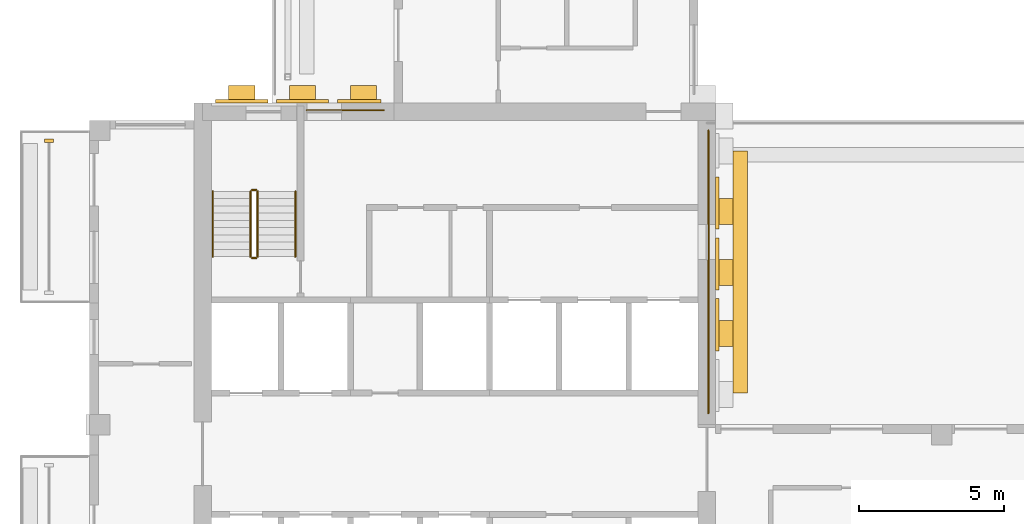
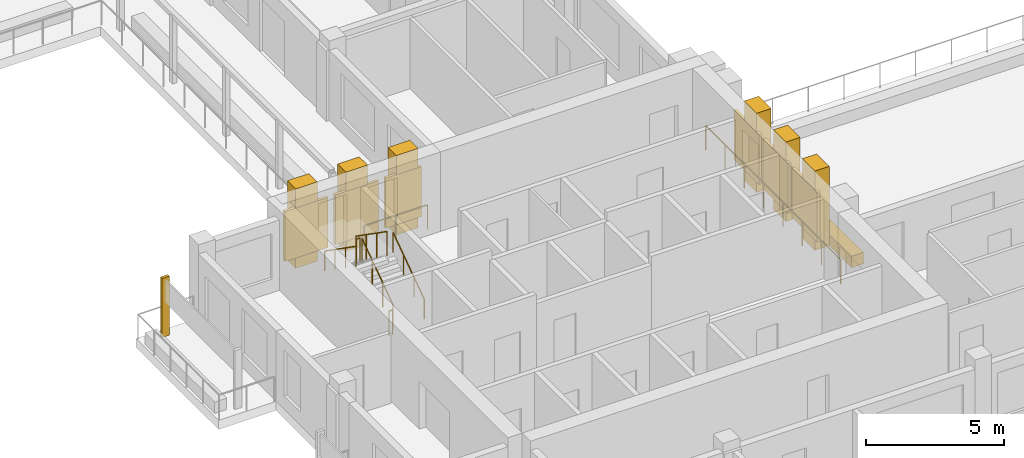
# One storey, part 9 of 12: 14 coverings, 8 railings.
"""IFC4 building model written with IfcOpenShell, lengths in metres."""

from ifc_helpers import new_model, si_unit, direction, frame, origin, origin_2d, place, context, subcontext, project, spatial, rectangle, circle, extrude, source, transform, mapped, material, type_object, element, save


model = new_model("IFC4")

# Units and contexts
model_context = context("Model", 3, precision=1e-05, world=origin(), true_north=direction((0.0, 1.0)))
body_context = subcontext(model_context, "Body", "Model", "MODEL_VIEW")
ifc_project = project(units=[si_unit("LENGTHUNIT", "METRE"), si_unit("AREAUNIT", "SQUARE_METRE"), si_unit("VOLUMEUNIT", "CUBIC_METRE"), si_unit("PLANEANGLEUNIT", "RADIAN"), si_unit("MASSUNIT", "GRAM", prefix="KILO")], contexts=[model_context])

# Site, building, storey
site_placement = place(None, origin())
site = spatial("IfcSite", under=ifc_project, at=site_placement, CompositionType="ELEMENT")
building_placement = place(site_placement, origin())
building = spatial("IfcBuilding", under=site, at=building_placement, Name="Aurelian Terraces", CompositionType="ELEMENT")
storey_placement = place(building_placement, frame((0.0, 0.0, 284.5)))
storey = spatial("IfcBuildingStorey", under=building, at=storey_placement, Name="L64", CompositionType="ELEMENT", Elevation=284.5)

# Covering
ifc_material_1 = material(Name="Terracotta rainscreen cladding relief", Category="masonry")
covering_type_1 = type_object("IfcCoveringType", Name="Core spine pier 900x600", PredefinedType="CLADDING", material=ifc_material_1)
covering_1_placement = place(storey_placement, frame((5.25, 21.9, 0.0), z_axis=(0.0, 0.0, 1.0), x_axis=(1.0, 0.0, 0.0)))
element("IfcCovering", 1, at=covering_1_placement, inside=storey, type_object=covering_type_1, Name="Spine pier L64 N6", PredefinedType="CLADDING", context=body_context, shape_type="SweptSolid", body=[
    extrude(rectangle(XDim=0.9, YDim=0.6, at=origin_2d()), origin(), (0.0, 0.0, 1.0), 3.5),
])

# Railings
ifc_material_2 = material(Name="Anodised aluminium", Category="aluminium")
railing_type_1 = type_object("IfcRailingType", Name="GUARD-1100", PredefinedType="GUARDRAIL", material=ifc_material_2)
railing_1_placement = place(storey_placement, frame((21.35, 10.9, 0.0)))
element("IfcRailing", 2, at=railing_1_placement, inside=storey, type_object=railing_type_1, Name="Terrace guard L64 L64-X1.6", PredefinedType="GUARDRAIL", context=body_context, shape_type="SweptSolid", body=[
    extrude(circle(Radius=0.024, at=origin_2d()), frame((0.0, 0.0, 1.076), z_axis=(0.0, 1.0, 0.0), x_axis=(-1.0, 0.0, 0.0)), (0.0, 0.0, 1.0), 9.75),
    extrude(circle(Radius=0.021, at=origin_2d()), origin(), (0.0, 0.0, 1.0), 1.052),
    extrude(circle(Radius=0.021, at=origin_2d()), frame((0.0, 1.3929, 0.0)), (0.0, 0.0, 1.0), 1.052),
    extrude(circle(Radius=0.021, at=origin_2d()), frame((0.0, 2.7857, 0.0)), (0.0, 0.0, 1.0), 1.052),
    extrude(circle(Radius=0.021, at=origin_2d()), frame((0.0, 4.1786, 0.0)), (0.0, 0.0, 1.0), 1.052),
    extrude(circle(Radius=0.021, at=origin_2d()), frame((0.0, 5.5714, 0.0)), (0.0, 0.0, 1.0), 1.052),
    extrude(circle(Radius=0.021, at=origin_2d()), frame((0.0, 6.9643, 0.0)), (0.0, 0.0, 1.0), 1.052),
    extrude(circle(Radius=0.021, at=origin_2d()), frame((0.0, 8.3571, 0.0)), (0.0, 0.0, 1.0), 1.052),
    extrude(circle(Radius=0.021, at=origin_2d()), frame((0.0, 9.75, 0.0)), (0.0, 0.0, 1.0), 1.052),
])
railing_2_placement = place(storey_placement, frame((10.15, 21.35, 0.0)))
element("IfcRailing", 3, at=railing_2_placement, inside=storey, type_object=railing_type_1, Name="Terrace guard L64 L64-X2.10", PredefinedType="GUARDRAIL", context=body_context, shape_type="SweptSolid", body=[
    extrude(circle(Radius=0.024, at=origin_2d()), frame((0.0, 0.0, 1.076), z_axis=(-1.0, 0.0, 0.0), x_axis=(0.0, -1.0, 0.0)), (0.0, 0.0, 1.0), 2.65),
    extrude(circle(Radius=0.021, at=origin_2d()), origin(), (0.0, 0.0, 1.0), 1.052),
    extrude(circle(Radius=0.021, at=origin_2d()), frame((-1.325, 0.0, 0.0)), (0.0, 0.0, 1.0), 1.052),
    extrude(circle(Radius=0.021, at=origin_2d()), frame((-2.65, 0.0, 0.0)), (0.0, 0.0, 1.0), 1.052),
])

# Coverings
ifc_material_3 = material(Name="Terracotta rainscreen cladding louvre blades", Category="masonry")
covering_type_2 = type_object("IfcCoveringType", Name="LOUVRE-TC", PredefinedType="CLADDING", material=ifc_material_3)
covering_2_placement = place(storey_placement, frame((5.25, 21.66, 0.45), z_axis=(0.0, 0.0, 1.0), x_axis=(1.0, 0.0, 0.0)))
element("IfcCovering", 4, at=covering_2_placement, inside=storey, type_object=covering_type_2, Name="LOUVRE L64 core face N.1", PredefinedType="CLADDING", context=body_context, shape_type="SweptSolid", body=[
    extrude(rectangle(XDim=1.8, YDim=0.12, at=origin_2d()), origin(), (0.0, 0.0, 1.0), 2.2),
])
covering_3_placement = place(storey_placement, frame((9.3, 21.66, 0.45), z_axis=(0.0, 0.0, 1.0), x_axis=(1.0, 0.0, 0.0)))
element("IfcCovering", 5, at=covering_3_placement, inside=storey, type_object=covering_type_2, Name="LOUVRE L64 core face N.3", PredefinedType="CLADDING", context=body_context, shape_type="SweptSolid", body=[
    extrude(rectangle(XDim=1.5, YDim=0.12, at=origin_2d()), origin(), (0.0, 0.0, 1.0), 2.2),
])
ifc_material_4 = material(Name="Terracotta planter with planting soil", Category="masonry")
covering_type_3 = type_object("IfcCoveringType", Name="PLANTER-TROUGH", PredefinedType="USERDEFINED", material=ifc_material_4)
covering_4_placement = place(storey_placement, frame((22.45, 15.775, 0.0), z_axis=(0.0, 0.0, 1.0), x_axis=(1.0, 0.0, 0.0)))
element("IfcCovering", 6, at=covering_4_placement, inside=storey, type_object=covering_type_3, Name="PLANTER L64 terrace L64-X1-5.1", ObjectType="PLANTER", PredefinedType="USERDEFINED", context=body_context, shape_type="SweptSolid", body=[
    extrude(rectangle(XDim=0.5, YDim=8.35, at=origin_2d()), origin(), (0.0, 0.0, 1.0), 0.5),
])

# Railings
ifc_material_5 = material(Name="Stainless steel", Category="steel")
railing_type_2 = type_object("IfcRailingType", Name="Stair guard 1100", PredefinedType="GUARDRAIL", material=ifc_material_5)
railing_3_placement = place(storey_placement, frame((5.8, 16.3, 0.175)))
element("IfcRailing", 7, at=railing_3_placement, inside=storey, type_object=railing_type_2, Name="L64 S1 stair guard 1", PredefinedType="GUARDRAIL", context=body_context, shape_type="SweptSolid", body=[
    extrude(circle(Radius=0.024, at=origin_2d()), frame((0.0, 0.0, 1.076), z_axis=(0.0, 0.819231920519, 0.573462344363), x_axis=(-1.0, 0.0, 0.0)), (0.0, 0.0, 1.0), 2.7465),
    extrude(circle(Radius=0.021, at=origin_2d()), origin(), (0.0, 0.0, 1.0), 1.052),
    extrude(circle(Radius=0.021, at=origin_2d()), frame((0.0, 0.75, 0.525)), (0.0, 0.0, 1.0), 1.052),
    extrude(circle(Radius=0.021, at=origin_2d()), frame((0.0, 1.5, 1.05)), (0.0, 0.0, 1.0), 1.052),
    extrude(circle(Radius=0.021, at=origin_2d()), frame((0.0, 2.25, 1.575)), (0.0, 0.0, 1.0), 1.052),
])
railing_4_placement = place(storey_placement, frame((5.55, 18.55, 1.925)))
element("IfcRailing", 8, at=railing_4_placement, inside=storey, type_object=railing_type_2, Name="L64 S1 stair guard 3", PredefinedType="GUARDRAIL", context=body_context, shape_type="SweptSolid", body=[
    extrude(circle(Radius=0.024, at=origin_2d()), frame((0.0, 0.0, 1.076), z_axis=(0.0, -0.819231920519, 0.573462344363), x_axis=(1.0, 0.0, 0.0)), (0.0, 0.0, 1.0), 2.7465),
    extrude(circle(Radius=0.021, at=origin_2d()), origin(), (0.0, 0.0, 1.0), 1.052),
    extrude(circle(Radius=0.021, at=origin_2d()), frame((0.0, -0.75, 0.525)), (0.0, 0.0, 1.0), 1.052),
    extrude(circle(Radius=0.021, at=origin_2d()), frame((0.0, -1.5, 1.05)), (0.0, 0.0, 1.0), 1.052),
    extrude(circle(Radius=0.021, at=origin_2d()), frame((0.0, -2.25, 1.575)), (0.0, 0.0, 1.0), 1.052),
])
railing_type_3 = type_object("IfcRailingType", Name="Stair handrail", PredefinedType="HANDRAIL", material=ifc_material_5)
railing_5_placement = place(storey_placement, frame((7.1, 16.3, 0.175)))
element("IfcRailing", 9, at=railing_5_placement, inside=storey, type_object=railing_type_3, Name="L64 S1 stair handrail 1", PredefinedType="HANDRAIL", context=body_context, shape_type="SweptSolid", body=[
    extrude(circle(Radius=0.024, at=origin_2d()), frame((0.0, 0.0, 0.876), z_axis=(0.0, 0.819231920519, 0.573462344363), x_axis=(-1.0, 0.0, 0.0)), (0.0, 0.0, 1.0), 2.7465),
    extrude(circle(Radius=0.021, at=origin_2d()), origin(), (0.0, 0.0, 1.0), 0.852),
    extrude(circle(Radius=0.021, at=origin_2d()), frame((0.0, 0.75, 0.525)), (0.0, 0.0, 1.0), 0.852),
    extrude(circle(Radius=0.021, at=origin_2d()), frame((0.0, 1.5, 1.05)), (0.0, 0.0, 1.0), 0.852),
    extrude(circle(Radius=0.021, at=origin_2d()), frame((0.0, 2.25, 1.575)), (0.0, 0.0, 1.0), 0.852),
])
railing_6_placement = place(storey_placement, frame((4.25, 18.55, 1.925)))
element("IfcRailing", 10, at=railing_6_placement, inside=storey, type_object=railing_type_3, Name="L64 S1 stair handrail 2", PredefinedType="HANDRAIL", context=body_context, shape_type="SweptSolid", body=[
    extrude(circle(Radius=0.024, at=origin_2d()), frame((0.0, 0.0, 0.876), z_axis=(0.0, -0.819231920519, 0.573462344363), x_axis=(1.0, 0.0, 0.0)), (0.0, 0.0, 1.0), 2.7465),
    extrude(circle(Radius=0.021, at=origin_2d()), origin(), (0.0, 0.0, 1.0), 0.852),
    extrude(circle(Radius=0.021, at=origin_2d()), frame((0.0, -0.75, 0.525)), (0.0, 0.0, 1.0), 0.852),
    extrude(circle(Radius=0.021, at=origin_2d()), frame((0.0, -1.5, 1.05)), (0.0, 0.0, 1.0), 0.852),
    extrude(circle(Radius=0.021, at=origin_2d()), frame((0.0, -2.25, 1.575)), (0.0, 0.0, 1.0), 0.852),
])

# Coverings
covering_type_4 = type_object("IfcCoveringType", Name="FIN-TC", PredefinedType="CLADDING", material=ifc_material_1)
shared_shape_1 = source(origin(), body_context, "Body", "SweptSolid", [
    extrude(rectangle(XDim=0.3, YDim=0.12, at=origin_2d()), origin(), (0.0, 0.0, 1.0), 2.6),
])
covering_5_placement = place(storey_placement, frame((-1.4, 20.3, 0.0), z_axis=(0.0, 0.0, 1.0), x_axis=(1.0, 0.0, 0.0)))
element("IfcCovering", 11, at=covering_5_placement, inside=storey, type_object=covering_type_4, Name="FIN L64 L64-F12-21.1", PredefinedType="CLADDING", context=body_context, shape_type="MappedRepresentation", body=[
    mapped(shared_shape_1, transform((0.0, 0.0, 0.0), scale=1.0)),
])
shared_shape_2 = source(origin(), body_context, "Body", "SweptSolid", [
    extrude(rectangle(XDim=0.12, YDim=1.8, at=origin_2d()), origin(), (0.0, 0.0, 1.0), 2.2),
])
for number, where, z_axis, x_axis, name in (
    (12, (21.66, 13.95, 0.45), (0.0, 0.0, 1.0), (1.0, 0.0, 0.0), "LOUVRE L64 core face E.2"),
    (13, (21.66, 16.05, 0.45), (0.0, 0.0, 1.0), (1.0, 0.0, 0.0), "LOUVRE L64 core face E.3"),
    (14, (21.66, 18.15, 0.45), (0.0, 0.0, 1.0), (1.0, 0.0, 0.0), "LOUVRE L64 core face E.4"),
):
    element("IfcCovering", number, at=place(storey_placement, frame(where, z_axis=z_axis, x_axis=x_axis)), inside=storey, type_object=covering_type_2, Name=name, PredefinedType="CLADDING", context=body_context, shape_type="MappedRepresentation", body=[
        mapped(shared_shape_2, transform((0.0, 0.0, 0.0), scale=1.0)),
    ])
shared_shape_3 = source(origin(), body_context, "Body", "SweptSolid", [
    extrude(rectangle(XDim=1.8, YDim=0.12, at=origin_2d()), origin(), (0.0, 0.0, 1.0), 2.2),
])
covering_6_placement = place(storey_placement, frame((7.35, 21.66, 0.45), z_axis=(0.0, 0.0, 1.0), x_axis=(1.0, 0.0, 0.0)))
element("IfcCovering", 15, at=covering_6_placement, inside=storey, type_object=covering_type_2, Name="LOUVRE L64 core face N.2", PredefinedType="CLADDING", context=body_context, shape_type="MappedRepresentation", body=[
    mapped(shared_shape_3, transform((0.0, 0.0, 0.0), scale=1.0)),
])

# Railings
shared_shape_4 = source(origin(), body_context, "Body", "SweptSolid", [
    extrude(circle(Radius=0.024, at=origin_2d()), frame((0.0, 0.0, 1.076), z_axis=(-1.0, 0.0, 0.0), x_axis=(0.0, -1.0, 0.0)), (0.0, 0.0, 1.0), 0.15),
    extrude(circle(Radius=0.021, at=origin_2d()), origin(), (0.0, 0.0, 1.0), 1.052),
    extrude(circle(Radius=0.021, at=origin_2d()), frame((-0.15, 0.0, 0.0)), (0.0, 0.0, 1.0), 1.052),
])
for number, where, name in (
    (16, (5.75, 18.6, 1.75), "L64 S1 stair guard 2"),
    (17, (5.75, 16.25, 0.0), "L64 S1 stair guard 4"),
):
    element("IfcRailing", number, at=place(storey_placement, frame(where)), inside=storey, type_object=railing_type_2, Name=name, PredefinedType="GUARDRAIL", context=body_context, shape_type="MappedRepresentation", body=[
        mapped(shared_shape_4, transform((0.0, 0.0, 0.0), scale=1.0)),
    ])

# Coverings
shared_shape_5 = source(origin(), body_context, "Body", "SweptSolid", [
    extrude(rectangle(XDim=0.6, YDim=0.9, at=origin_2d()), origin(), (0.0, 0.0, 1.0), 3.5),
])
for number, where, z_axis, x_axis, name in (
    (18, (21.9, 13.65, 0.0), (0.0, 0.0, 1.0), (1.0, 0.0, 0.0), "Spine pier L64 E2"),
    (19, (21.9, 15.75, 0.0), (0.0, 0.0, 1.0), (1.0, 0.0, 0.0), "Spine pier L64 E3"),
    (20, (21.9, 17.85, 0.0), (0.0, 0.0, 1.0), (1.0, 0.0, 0.0), "Spine pier L64 E4"),
):
    element("IfcCovering", number, at=place(storey_placement, frame(where, z_axis=z_axis, x_axis=x_axis)), inside=storey, type_object=covering_type_1, Name=name, PredefinedType="CLADDING", context=body_context, shape_type="MappedRepresentation", body=[
        mapped(shared_shape_5, transform((0.0, 0.0, 0.0), scale=1.0)),
    ])
shared_shape_6 = source(origin(), body_context, "Body", "SweptSolid", [
    extrude(rectangle(XDim=0.9, YDim=0.6, at=origin_2d()), origin(), (0.0, 0.0, 1.0), 3.5),
])
for number, where, z_axis, x_axis, name in (
    (21, (7.35, 21.9, 0.0), (0.0, 0.0, 1.0), (1.0, 0.0, 0.0), "Spine pier L64 N7"),
    (22, (9.45, 21.9, 0.0), (0.0, 0.0, 1.0), (1.0, 0.0, 0.0), "Spine pier L64 N8"),
):
    element("IfcCovering", number, at=place(storey_placement, frame(where, z_axis=z_axis, x_axis=x_axis)), inside=storey, type_object=covering_type_1, Name=name, PredefinedType="CLADDING", context=body_context, shape_type="MappedRepresentation", body=[
        mapped(shared_shape_6, transform((0.0, 0.0, 0.0), scale=1.0)),
    ])

save(model, "model.ifc")
